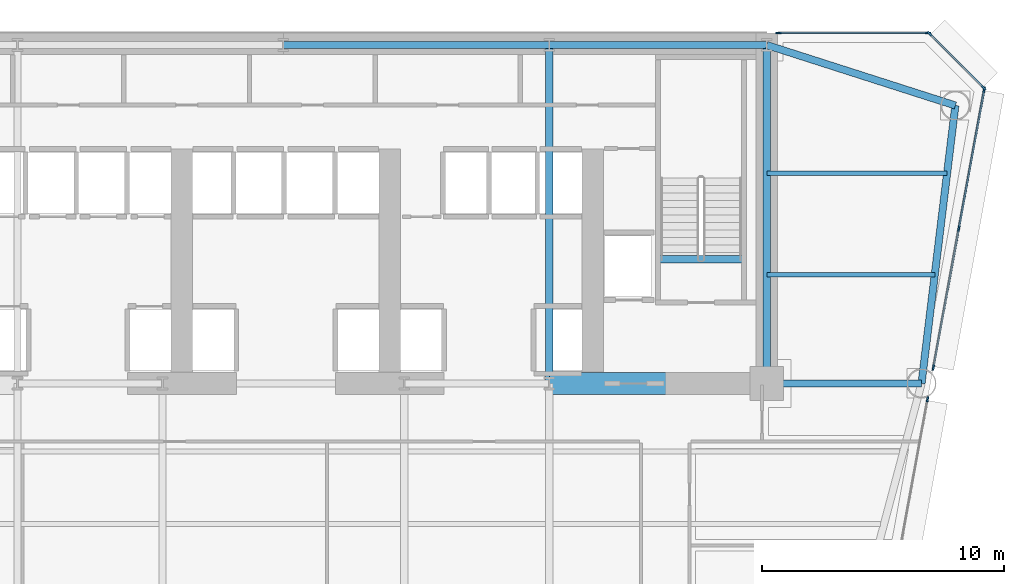
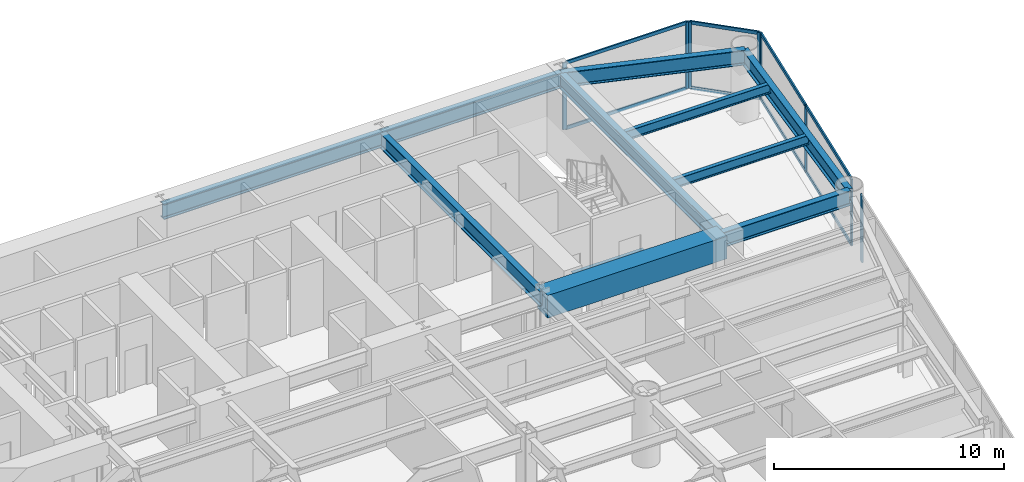
# One storey, part 6 of 14: 16 members, 11 beams, 4 elements without a shape of their own.
"""IFC4 building model written with IfcOpenShell, lengths in metres."""

from ifc_helpers import new_model, si_unit, direction, frame, origin, origin_2d, place, context, subcontext, project, spatial, rectangle, i_section, extrude, source, transform, mapped, material, layer, layer_set, material_profile, profile_set, type_object, element, aggregate, save


model = new_model("IFC4")

# Units and contexts
model_context = context("Model", 3, precision=1e-05, world=origin(), true_north=direction((0.0, 1.0)))
body_context = subcontext(model_context, "Body", "Model", "MODEL_VIEW")
ifc_project = project(units=[si_unit("LENGTHUNIT", "METRE"), si_unit("AREAUNIT", "SQUARE_METRE"), si_unit("VOLUMEUNIT", "CUBIC_METRE"), si_unit("PLANEANGLEUNIT", "RADIAN"), si_unit("MASSUNIT", "GRAM", prefix="KILO")], contexts=[model_context])

# Site, building, storey
site_placement = place(None, origin())
site = spatial("IfcSite", under=ifc_project, at=site_placement, CompositionType="ELEMENT")
building_placement = place(site_placement, origin())
building = spatial("IfcBuilding", under=site, at=building_placement, Name="Vaeldorn Concourse Tower", CompositionType="ELEMENT")
storey_placement = place(building_placement, frame((0.0, 0.0, 79.60009765625)))
storey = spatial("IfcBuildingStorey", under=building, at=storey_placement, Name="L20", CompositionType="ELEMENT", Elevation=79.60009765625)

# Beams
ifc_material_1 = material(Name="Concrete C60/75", Category="concrete")
ifc_material_profile_1 = material_profile(ifc_material_1, rectangle(XDim=0.89990234375, YDim=1.199951171875, at=origin_2d()), Name="RC 900x1200")
ifc_profile_set_1 = profile_set([ifc_material_profile_1], Name="Concrete C60/75")
beam_type_1 = type_object("IfcBeamType", Name="BM-CB-RC900", PredefinedType="BEAM", material=ifc_profile_set_1)
shared_shape_1 = source(origin(), body_context, "Body", "SweptSolid", [
    extrude(rectangle(XDim=0.89990234375, YDim=1.199951171875, at=origin_2d()), origin(), (0.0, 0.0, 1.0), 9.0),
])
beam_1_placement = place(storey_placement, frame((45.0, 36.5, 2.93994140625), z_axis=(1.0, 0.0, 0.0), x_axis=(0.0, 1.0, 0.0)))
element("IfcBeam", 1, at=beam_1_placement, inside=storey, type_object=beam_type_1, Name="Core Coupling Beam L20-2", PredefinedType="BEAM", context=body_context, shape_type="MappedRepresentation", body=[
    mapped(shared_shape_1, transform((0.0, 0.0, 0.0), scale=1.0)),
])
ifc_material_2 = material(Name="Steel S355", Category="steel")
ifc_material_profile_2 = material_profile(ifc_material_2, i_section(OverallWidth=0.300048828125, OverallDepth=0.340087890625, WebThickness=0.011962890625, FlangeThickness=0.021484375, FilletRadius=0.027099609375, at=origin_2d()), Name="HEB 340")
ifc_profile_set_2 = profile_set([ifc_material_profile_2], Name="Steel S355")
beam_type_2 = type_object("IfcBeamType", Name="BM-ST-TRIM", PredefinedType="BEAM", material=ifc_profile_set_2)
shared_shape_2 = source(origin(), body_context, "Body", "SweptSolid", [
    extrude(i_section(OverallWidth=0.300048828125, OverallDepth=0.340087890625, WebThickness=0.011962890625, FlangeThickness=0.021484375, FilletRadius=0.027099609375, at=origin_2d()), origin(), (0.0, 0.0, 1.0), 3.590087890625),
])
beam_2_placement = place(storey_placement, frame((49.47998046875, 41.639892578125, -0.39013671875), z_axis=(1.0, 0.0, 0.0), x_axis=(0.0, 1.0, 0.0)))
element("IfcBeam", 2, at=beam_2_placement, inside=storey, type_object=beam_type_2, Name="Stair Landing Trimmer Beam ST-2 L20", PredefinedType="BEAM", context=body_context, shape_type="MappedRepresentation", body=[
    mapped(shared_shape_2, transform((0.0, 0.0, 0.0), scale=1.0)),
])
ifc_material_profile_3 = material_profile(ifc_material_2, i_section(OverallWidth=0.300048828125, OverallDepth=0.800048828125, WebThickness=0.017578125, FlangeThickness=0.032958984375, FilletRadius=0.030029296875, at=origin_2d()), Name="HEB 800")
ifc_profile_set_3 = profile_set([ifc_material_profile_3], Name="Steel S355")
beam_type_3 = type_object("IfcBeamType", Name="BM-PG-HEB800", PredefinedType="BEAM", material=ifc_profile_set_3)
shared_shape_3 = source(origin(), body_context, "Body", "SweptSolid", [
    extrude(i_section(OverallWidth=0.300048828125, OverallDepth=0.800048828125, WebThickness=0.017578125, FlangeThickness=0.032958984375, FilletRadius=0.030029296875, at=origin_2d()), origin(), (0.0, 0.0, 1.0), 9.0),
])
beam_3_placement = place(storey_placement, frame((45.0, 50.5, 3.139892578125), z_axis=(1.0, 0.0, 0.0), x_axis=(0.0, 1.0, 0.0)))
element("IfcBeam", 3, at=beam_3_placement, inside=storey, type_object=beam_type_3, Name="Beam BM-L20-C-HC4-C-HC5", PredefinedType="BEAM", context=body_context, shape_type="MappedRepresentation", body=[
    mapped(shared_shape_3, transform((0.0, 0.0, 0.0), scale=1.0)),
])
shared_shape_4 = source(origin(), body_context, "Body", "SweptSolid", [
    extrude(i_section(OverallWidth=0.300048828125, OverallDepth=0.800048828125, WebThickness=0.017578125, FlangeThickness=0.032958984375, FilletRadius=0.030029296875, at=origin_2d()), origin(), (0.0, 0.0, 1.0), 11.0),
])
beam_4_placement = place(storey_placement, frame((34.0, 50.5, 3.139892578125), z_axis=(1.0, 0.0, 0.0), x_axis=(0.0, 1.0, 0.0)))
element("IfcBeam", 4, at=beam_4_placement, inside=storey, type_object=beam_type_3, Name="Beam BM-L20-C-HC3-C-HC4", PredefinedType="BEAM", context=body_context, shape_type="MappedRepresentation", body=[
    mapped(shared_shape_4, transform((0.0, 0.0, 0.0), scale=1.0)),
])
shared_shape_5 = source(origin(), body_context, "Body", "SweptSolid", [
    extrude(i_section(OverallWidth=0.300048828125, OverallDepth=0.800048828125, WebThickness=0.017578125, FlangeThickness=0.032958984375, FilletRadius=0.030029296875, at=origin_2d()), origin(), (0.0, 0.0, 1.0), 14.0),
])
for number, where, z_axis, x_axis, name in (
    (5, (45.0, 36.5, 3.139892578125), (0.0, 1.0, 0.0), (-1.0, 0.0, 0.0), "Beam BM-L20-C-FC5-C-HC4"),
    (6, (54.0, 36.5, 3.139892578125), (0.0, 1.0, 0.0), (-1.0, 0.0, 0.0), "Beam BM-L20-C-FC6-C-HC5"),
):
    element("IfcBeam", number, at=place(storey_placement, frame(where, z_axis=z_axis, x_axis=x_axis)), inside=storey, type_object=beam_type_3, Name=name, PredefinedType="BEAM", context=body_context, shape_type="MappedRepresentation", body=[
        mapped(shared_shape_5, transform((0.0, 0.0, 0.0), scale=1.0)),
    ])
shared_shape_6 = source(origin(), body_context, "Body", "SweptSolid", [
    extrude(i_section(OverallWidth=0.300048828125, OverallDepth=0.800048828125, WebThickness=0.017578125, FlangeThickness=0.032958984375, FilletRadius=0.030029296875, at=origin_2d()), origin(), (0.0, 0.0, 1.0), 8.19091796875),
])
beam_5_placement = place(storey_placement, frame((54.0, 50.5, 3.139892578125), z_axis=(0.952282843383, -0.305216949396, 0.0), x_axis=(0.305216949396, 0.952282843383, 0.0)))
element("IfcBeam", 7, at=beam_5_placement, inside=storey, type_object=beam_type_3, Name="Beam BM-L20-C-HC5-C-NE1", PredefinedType="BEAM", context=body_context, shape_type="MappedRepresentation", body=[
    mapped(shared_shape_6, transform((0.0, 0.0, 0.0), scale=1.0)),
])
shared_shape_7 = source(origin(), body_context, "Body", "SweptSolid", [
    extrude(i_section(OverallWidth=0.300048828125, OverallDepth=0.800048828125, WebThickness=0.017578125, FlangeThickness=0.032958984375, FilletRadius=0.030029296875, at=origin_2d()), origin(), (0.0, 0.0, 1.0), 11.5849609375),
])
beam_6_placement = place(storey_placement, frame((61.800048828125, 48.0, 3.139892578125), z_axis=(-0.120859382899, -0.992669637677, 0.0), x_axis=(0.992669637677, -0.120859382899, 0.0)))
element("IfcBeam", 8, at=beam_6_placement, inside=storey, type_object=beam_type_3, Name="Beam BM-L20-C-NE1-C-NE2", PredefinedType="BEAM", context=body_context, shape_type="MappedRepresentation", body=[
    mapped(shared_shape_7, transform((0.0, 0.0, 0.0), scale=1.0)),
])
shared_shape_8 = source(origin(), body_context, "Body", "SweptSolid", [
    extrude(i_section(OverallWidth=0.300048828125, OverallDepth=0.800048828125, WebThickness=0.017578125, FlangeThickness=0.032958984375, FilletRadius=0.030029296875, at=origin_2d()), origin(), (0.0, 0.0, 1.0), 6.39990234375),
])
beam_7_placement = place(storey_placement, frame((54.0, 36.5, 3.139892578125), z_axis=(1.0, 0.0, 0.0), x_axis=(0.0, 1.0, 0.0)))
element("IfcBeam", 9, at=beam_7_placement, inside=storey, type_object=beam_type_3, Name="Beam BM-L20-C-FC6-C-NE2", PredefinedType="BEAM", context=body_context, shape_type="MappedRepresentation", body=[
    mapped(shared_shape_8, transform((0.0, 0.0, 0.0), scale=1.0)),
])
ifc_material_profile_4 = material_profile(ifc_material_2, i_section(OverallWidth=0.199951171875, OverallDepth=0.5, WebThickness=0.01025390625, FlangeThickness=0.01611328125, FilletRadius=0.02099609375, at=origin_2d()), Name="IPE 500")
ifc_profile_set_4 = profile_set([ifc_material_profile_4], Name="Steel S355")
beam_type_4 = type_object("IfcBeamType", Name="BM-JS-IPE500", PredefinedType="JOIST", material=ifc_profile_set_4)
shared_shape_9 = source(origin(), body_context, "Body", "SweptSolid", [
    extrude(i_section(OverallWidth=0.199951171875, OverallDepth=0.5, WebThickness=0.01025390625, FlangeThickness=0.01611328125, FilletRadius=0.02099609375, at=origin_2d()), origin(), (0.0, 0.0, 1.0), 6.94775390625),
])
beam_8_placement = place(storey_placement, frame((54.0, 41.0, 3.289794921875), z_axis=(1.0, 0.0, 0.0), x_axis=(0.0, 1.0, 0.0)))
element("IfcBeam", 10, at=beam_8_placement, inside=storey, type_object=beam_type_4, Name="Beam JS-L20-NE-410", PredefinedType="JOIST", context=body_context, shape_type="MappedRepresentation", body=[
    mapped(shared_shape_9, transform((0.0, 0.0, 0.0), scale=1.0)),
])
shared_shape_10 = source(origin(), body_context, "Body", "SweptSolid", [
    extrude(i_section(OverallWidth=0.199951171875, OverallDepth=0.5, WebThickness=0.01025390625, FlangeThickness=0.01611328125, FilletRadius=0.02099609375, at=origin_2d()), origin(), (0.0, 0.0, 1.0), 7.458984375),
])
beam_9_placement = place(storey_placement, frame((54.0, 45.199951171875, 3.289794921875), z_axis=(1.0, 0.0, 0.0), x_axis=(0.0, 1.0, 0.0)))
element("IfcBeam", 11, at=beam_9_placement, inside=storey, type_object=beam_type_4, Name="Beam JS-L20-NE-452", PredefinedType="JOIST", context=body_context, shape_type="MappedRepresentation", body=[
    mapped(shared_shape_10, transform((0.0, 0.0, 0.0), scale=1.0)),
])

# Curtain wall, members
ifc_material_3 = material(Name="Anodised Bronze Aluminium", Category="aluminium")
ifc_layer = layer(ifc_material_3, 0.219970703125)
ifc_layer_set = layer_set([ifc_layer], Name="Anodised Bronze Aluminium")
curtain_wall_type = type_object("IfcCurtainWallType", Name="CW-SYS-01", PredefinedType="NOTDEFINED", material=ifc_layer_set)
curtain_wall_1_placement = place(storey_placement, origin())
curtain_wall_1 = element("IfcCurtainWall", 12, at=curtain_wall_1_placement, inside=storey, type_object=curtain_wall_type, Name="Unitised Curtain Wall CW-L20-E08-1", PredefinedType="NOTDEFINED")
ifc_material_profile_5 = material_profile(ifc_material_3, rectangle(XDim=0.074951171875, YDim=0.179931640625, at=origin_2d()), Name="CWT 75x180")
ifc_profile_set_5 = profile_set([ifc_material_profile_5], Name="Anodised Bronze Aluminium")
member_type_1 = type_object("IfcMemberType", Name="CWT-BRONZE-180", PredefinedType="USERDEFINED", material=ifc_profile_set_5)
shared_shape_11 = source(origin(), body_context, "Body", "SweptSolid", [
    extrude(rectangle(XDim=0.074951171875, YDim=0.179931640625, at=origin_2d()), origin(), (0.0, 0.0, 1.0), 3.10302734375),
])
member_1_placement = place(storey_placement, frame((62.947021484375, 48.7529296875, 0.037353515625), z_axis=(-0.707106781187, 0.707106781187, 0.0), x_axis=(-0.707106781187, -0.707106781187, 0.0)))
member_1 = element("IfcMember", 13, at=member_1_placement, type_object=member_type_1, Name="CW-01 transom 1.1", ObjectType="TRANSOM", PredefinedType="USERDEFINED", context=body_context, shape_type="MappedRepresentation", body=[
    mapped(shared_shape_11, transform((0.0, 0.0, 0.0), scale=1.0)),
])
member_2_placement = place(storey_placement, frame((62.947021484375, 48.7529296875, 3.50244140625), z_axis=(-0.707106781187, 0.707106781187, 0.0), x_axis=(-0.707106781187, -0.707106781187, 0.0)))
member_2 = element("IfcMember", 14, at=member_2_placement, type_object=member_type_1, Name="CW-01 transom 1.2", ObjectType="TRANSOM", PredefinedType="USERDEFINED", context=body_context, shape_type="MappedRepresentation", body=[
    mapped(shared_shape_11, transform((0.0, 0.0, 0.0), scale=1.0)),
])

curtain_wall_2_placement = place(storey_placement, origin())
curtain_wall_2 = element("IfcCurtainWall", 15, at=curtain_wall_2_placement, inside=storey, type_object=curtain_wall_type, Name="Unitised Curtain Wall CW-L20-E09-1", PredefinedType="NOTDEFINED")
shared_shape_12 = source(origin(), body_context, "Body", "SweptSolid", [
    extrude(rectangle(XDim=0.074951171875, YDim=0.179931640625, at=origin_2d()), origin(), (0.0, 0.0, 1.0), 6.10498046875),
])
member_3_placement = place(storey_placement, frame((60.625, 51.0, 0.037353515625), z_axis=(-1.0, 0.0, 0.0), x_axis=(0.0, -1.0, 0.0)))
member_3 = element("IfcMember", 16, at=member_3_placement, type_object=member_type_1, Name="CW-01 transom 1.1", ObjectType="TRANSOM", PredefinedType="USERDEFINED", context=body_context, shape_type="MappedRepresentation", body=[
    mapped(shared_shape_12, transform((0.0, 0.0, 0.0), scale=1.0)),
])
member_4_placement = place(storey_placement, frame((60.625, 51.0, 3.50244140625), z_axis=(-1.0, 0.0, 0.0), x_axis=(0.0, -1.0, 0.0)))
member_4 = element("IfcMember", 17, at=member_4_placement, type_object=member_type_1, Name="CW-01 transom 1.2", ObjectType="TRANSOM", PredefinedType="USERDEFINED", context=body_context, shape_type="MappedRepresentation", body=[
    mapped(shared_shape_12, transform((0.0, 0.0, 0.0), scale=1.0)),
])

curtain_wall_3_placement = place(storey_placement, origin())
curtain_wall_3 = element("IfcCurtainWall", 18, at=curtain_wall_3_placement, inside=storey, type_object=curtain_wall_type, Name="Unitised Curtain Wall CW-L20-E07-2", PredefinedType="NOTDEFINED")
shared_shape_13 = source(origin(), body_context, "Body", "SweptSolid", [
    extrude(rectangle(XDim=0.074951171875, YDim=0.179931640625, at=origin_2d()), origin(), (0.0, 0.0, 1.0), 5.773681640625),
])
member_5_placement = place(storey_placement, frame((60.896240234375, 37.193359375, 0.037353515625), z_axis=(0.179841690319, 0.983695565926, 0.0), x_axis=(-0.983695565926, 0.179841690319, 0.0)))
member_5 = element("IfcMember", 19, at=member_5_placement, type_object=member_type_1, Name="CW-01 transom 1.1", ObjectType="TRANSOM", PredefinedType="USERDEFINED", context=body_context, shape_type="MappedRepresentation", body=[
    mapped(shared_shape_13, transform((0.0, 0.0, 0.0), scale=1.0)),
])
member_6_placement = place(storey_placement, frame((60.896240234375, 37.193359375, 3.50244140625), z_axis=(0.179841690319, 0.983695565926, 0.0), x_axis=(-0.983695565926, 0.179841690319, 0.0)))
member_6 = element("IfcMember", 20, at=member_6_placement, type_object=member_type_1, Name="CW-01 transom 1.2", ObjectType="TRANSOM", PredefinedType="USERDEFINED", context=body_context, shape_type="MappedRepresentation", body=[
    mapped(shared_shape_13, transform((0.0, 0.0, 0.0), scale=1.0)),
])

# Curtain wall, member
curtain_wall_4_placement = place(storey_placement, origin())
curtain_wall_4 = element("IfcCurtainWall", 21, at=curtain_wall_4_placement, inside=storey, type_object=curtain_wall_type, Name="Unitised Curtain Wall CW-L20-E07-1", PredefinedType="NOTDEFINED")
ifc_material_profile_6 = material_profile(ifc_material_3, rectangle(XDim=0.074951171875, YDim=0.219970703125, at=origin_2d()), Name="CWM 75x220")
ifc_profile_set_6 = profile_set([ifc_material_profile_6], Name="Anodised Bronze Aluminium")
member_type_2 = type_object("IfcMemberType", Name="CWM-BRONZE-220", PredefinedType="MULLION", material=ifc_profile_set_6)
shared_shape_14 = source(origin(), body_context, "Body", "SweptSolid", [
    extrude(rectangle(XDim=0.074951171875, YDim=0.219970703125, at=origin_2d()), origin(), (0.0, 0.0, 1.0), 3.539794921875),
])
member_7_placement = place(storey_placement, frame((60.649658203125, 35.843505859375, 0.0), z_axis=(0.0, 0.0, 1.0), x_axis=(-0.983694621772, 0.179846854566, 0.0)))
member_7 = element("IfcMember", 22, at=member_7_placement, type_object=member_type_2, Name="CW-01 mullion 6", PredefinedType="MULLION", context=body_context, shape_type="MappedRepresentation", body=[
    mapped(shared_shape_14, transform((0.0, 0.0, 0.0), scale=1.0)),
])
aggregate(curtain_wall_4, [member_7])

# Member
member_8_placement = place(storey_placement, frame((60.8896484375, 37.156494140625, 0.0), z_axis=(0.0, 0.0, 1.0), x_axis=(-0.983695206048, 0.179843658764, 0.0)))
member_8 = element("IfcMember", 23, at=member_8_placement, type_object=member_type_2, Name="CW-01 mullion 1", PredefinedType="MULLION", context=body_context, shape_type="MappedRepresentation", body=[
    mapped(shared_shape_14, transform((0.0, 0.0, 0.0), scale=1.0)),
])

member_9_placement = place(storey_placement, frame((61.94140625, 42.90966796875, 0.0), z_axis=(0.0, 0.0, 1.0), x_axis=(-0.983695206048, 0.179843658764, 0.0)))
member_9 = element("IfcMember", 24, at=member_9_placement, type_object=member_type_2, Name="CW-01 mullion 2", PredefinedType="MULLION", context=body_context, shape_type="MappedRepresentation", body=[
    mapped(shared_shape_14, transform((0.0, 0.0, 0.0), scale=1.0)),
])

member_10_placement = place(storey_placement, frame((62.9931640625, 48.6630859375, 0.0), z_axis=(0.0, 0.0, 1.0), x_axis=(-0.983695206048, 0.179843658764, 0.0)))
member_10 = element("IfcMember", 25, at=member_10_placement, type_object=member_type_2, Name="CW-01 mullion 3", PredefinedType="MULLION", context=body_context, shape_type="MappedRepresentation", body=[
    mapped(shared_shape_14, transform((0.0, 0.0, 0.0), scale=1.0)),
])

member_11_placement = place(storey_placement, frame((62.973388671875, 48.7265625, 0.0), z_axis=(0.0, 0.0, 1.0), x_axis=(-0.707106781187, -0.707106781187, 0.0)))
member_11 = element("IfcMember", 26, at=member_11_placement, type_object=member_type_2, Name="CW-01 mullion 1", PredefinedType="MULLION", context=body_context, shape_type="MappedRepresentation", body=[
    mapped(shared_shape_14, transform((0.0, 0.0, 0.0), scale=1.0)),
])

member_12_placement = place(storey_placement, frame((60.7265625, 50.973388671875, 0.0), z_axis=(0.0, 0.0, 1.0), x_axis=(-0.707106781187, -0.707106781187, 0.0)))
member_12 = element("IfcMember", 27, at=member_12_placement, type_object=member_type_2, Name="CW-01 mullion 2", PredefinedType="MULLION", context=body_context, shape_type="MappedRepresentation", body=[
    mapped(shared_shape_14, transform((0.0, 0.0, 0.0), scale=1.0)),
])

aggregate(curtain_wall_1, [member_11, member_12, member_1, member_2])

member_13_placement = place(storey_placement, frame((60.66259765625, 51.0, 0.0), z_axis=(0.0, 0.0, 1.0), x_axis=(0.0, -1.0, 0.0)))
member_13 = element("IfcMember", 28, at=member_13_placement, type_object=member_type_2, Name="CW-01 mullion 1", PredefinedType="MULLION", context=body_context, shape_type="MappedRepresentation", body=[
    mapped(shared_shape_14, transform((0.0, 0.0, 0.0), scale=1.0)),
])

member_14_placement = place(storey_placement, frame((54.482421875, 51.0, 0.0), z_axis=(0.0, 0.0, 1.0), x_axis=(0.0, -1.0, 0.0)))
member_14 = element("IfcMember", 29, at=member_14_placement, type_object=member_type_2, Name="CW-01 mullion 2", PredefinedType="MULLION", context=body_context, shape_type="MappedRepresentation", body=[
    mapped(shared_shape_14, transform((0.0, 0.0, 0.0), scale=1.0)),
])

aggregate(curtain_wall_2, [member_13, member_14, member_3, member_4])

shared_shape_15 = source(origin(), body_context, "Body", "SweptSolid", [
    extrude(rectangle(XDim=0.074951171875, YDim=0.179931640625, at=origin_2d()), origin(), (0.0, 0.0, 1.0), 5.77392578125),
])
member_15_placement = place(storey_placement, frame((61.9482421875, 42.946533203125, 0.037353515625), z_axis=(0.179834209858, 0.983696933494, 0.0), x_axis=(-0.983696933494, 0.179834209858, 0.0)))
member_15 = element("IfcMember", 30, at=member_15_placement, type_object=member_type_1, Name="CW-01 transom 2.1", ObjectType="TRANSOM", PredefinedType="USERDEFINED", context=body_context, shape_type="MappedRepresentation", body=[
    mapped(shared_shape_15, transform((0.0, 0.0, 0.0), scale=1.0)),
])

member_16_placement = place(storey_placement, frame((61.9482421875, 42.946533203125, 3.50244140625), z_axis=(0.179834209858, 0.983696933494, 0.0), x_axis=(-0.983696933494, 0.179834209858, 0.0)))
member_16 = element("IfcMember", 31, at=member_16_placement, type_object=member_type_1, Name="CW-01 transom 2.2", ObjectType="TRANSOM", PredefinedType="USERDEFINED", context=body_context, shape_type="MappedRepresentation", body=[
    mapped(shared_shape_15, transform((0.0, 0.0, 0.0), scale=1.0)),
])

aggregate(curtain_wall_3, [member_8, member_9, member_10, member_5, member_6, member_15, member_16])

save(model, "model.ifc")
